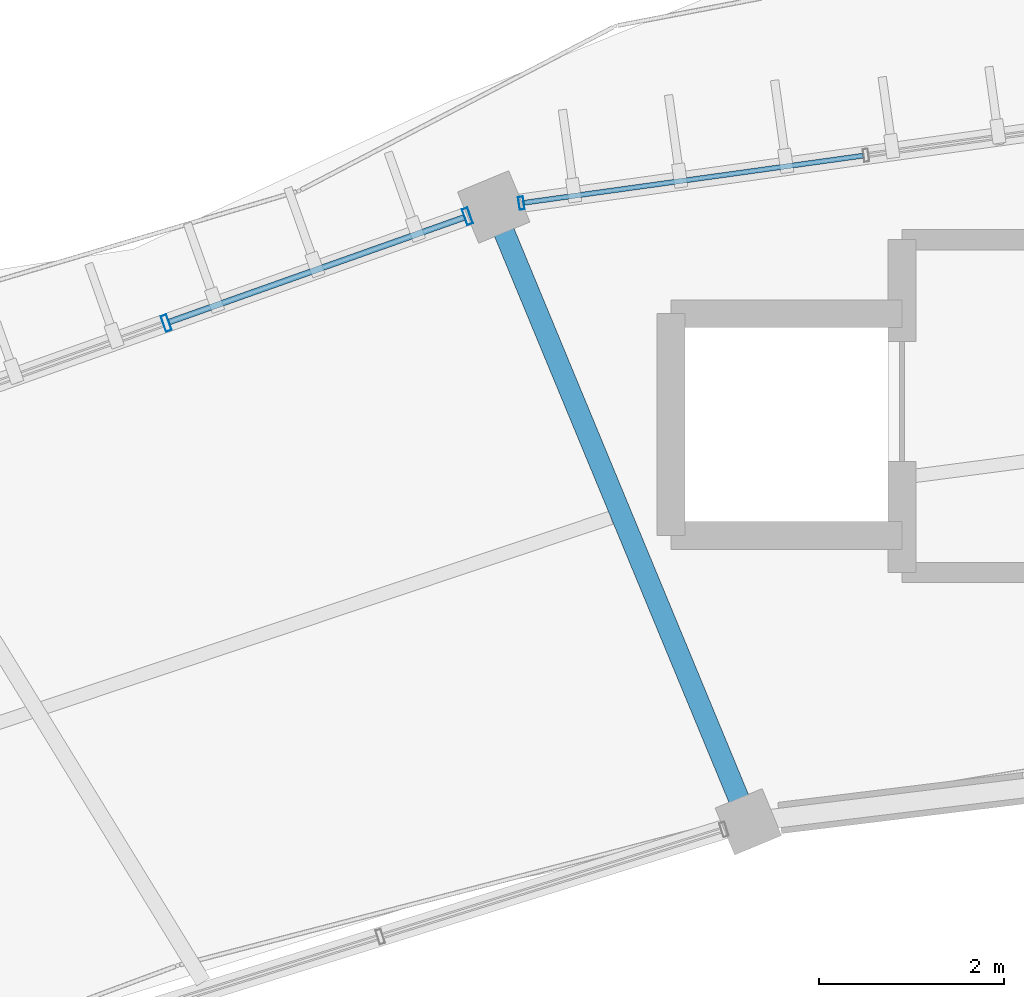
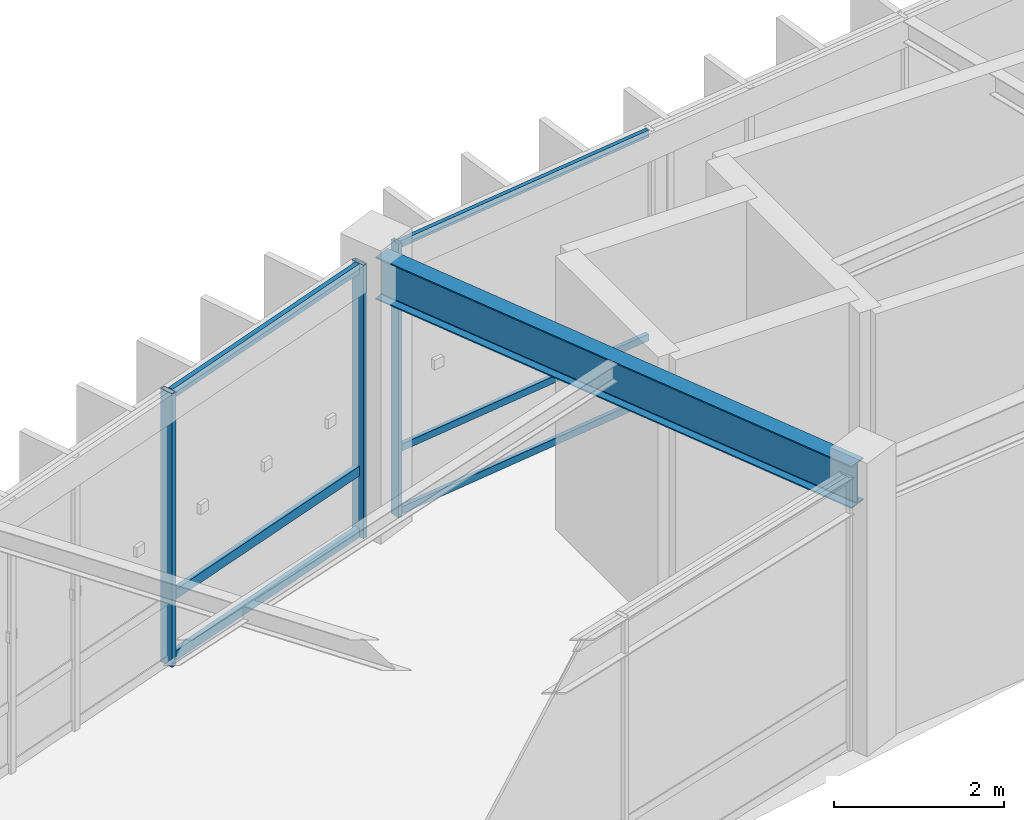
# One storey, part 41 of 83: 9 members, 1 beam, 2 elements without a shape of their own.
"""IFC4 building model written with IfcOpenShell, lengths in metres."""

from ifc_helpers import new_model, si_unit, direction, frame, origin, origin_2d, place, context, subcontext, project, spatial, hollow_rectangle, i_section, extrude, material, material_profile, profile_set, type_object, element, aggregate, save


model = new_model("IFC4")

# Units and contexts
model_context = context("Model", 3, precision=1e-05, world=origin(), true_north=direction((0.0, 1.0)))
body_context = subcontext(model_context, "Body", "Model", "MODEL_VIEW")
ifc_project = project(units=[si_unit("LENGTHUNIT", "METRE"), si_unit("AREAUNIT", "SQUARE_METRE"), si_unit("VOLUMEUNIT", "CUBIC_METRE"), si_unit("PLANEANGLEUNIT", "RADIAN"), si_unit("MASSUNIT", "GRAM", prefix="KILO"), si_unit("THERMODYNAMICTEMPERATUREUNIT", "KELVIN"), si_unit("POWERUNIT", "WATT")], contexts=[model_context])

# Site, building, storey
site_placement = place(None, origin())
site = spatial("IfcSite", under=ifc_project, at=site_placement, CompositionType="ELEMENT")
building_placement = place(site_placement, origin())
building = spatial("IfcBuilding", under=site, at=building_placement, Name="Darbajah Civic Hall", CompositionType="ELEMENT")
storey_placement = place(building_placement, frame((0.0, 0.0, 18.0)))
storey = spatial("IfcBuildingStorey", under=building, at=storey_placement, Name="L04", CompositionType="ELEMENT", Elevation=18.0)

# Curtain wall, member
ifc_material_1 = material(Name="Anodised Bronze Aluminium and Low-E Glazing", Category="aluminium")
curtain_wall_type_1 = type_object("IfcCurtainWallType", Name="Unitised Curtain Wall CW-66 15100x3900", PredefinedType="USERDEFINED", material=ifc_material_1)
curtain_wall_1_placement = place(storey_placement, origin())
curtain_wall_1 = element("IfcCurtainWall", 1, at=curtain_wall_1_placement, inside=storey, type_object=curtain_wall_type_1, Name="L04 unitised curtain wall CW-V1O-L04-05", ObjectType="UNITISED CURTAIN WALL", PredefinedType="USERDEFINED")
ifc_material_2 = material(Name="Anodised Bronze Aluminium", Category="aluminium")
ifc_material_profile_1 = material_profile(ifc_material_2, hollow_rectangle(XDim=0.054931640625, YDim=0.139892578125, WallThickness=0.003173828125, at=origin_2d()), Name="ALU MULLION 55x140")
ifc_profile_set_1 = profile_set([ifc_material_profile_1], Name="Anodised Bronze Aluminium")
member_type_1 = type_object("IfcMemberType", Name="ALU MULLION 55x140", PredefinedType="MULLION", material=ifc_profile_set_1)
member_1_placement = place(storey_placement, frame((69.882080078125, 117.095947265625, 0.0), z_axis=(0.0, 0.0, 1.0), x_axis=(-0.990485459553, -0.137617420457, 0.0)))
member_1 = element("IfcMember", 2, at=member_1_placement, type_object=member_type_1, Name="CW-V1O-L04-05 mullion 5", PredefinedType="MULLION", context=body_context, shape_type="SweptSolid", body=[
    extrude(hollow_rectangle(XDim=0.054931640625, YDim=0.139892578125, WallThickness=0.003173828125, at=origin_2d()), origin(), (0.0, 0.0, 1.0), 3.919921875),
])

# Curtain wall, members
curtain_wall_type_2 = type_object("IfcCurtainWallType", Name="Unitised Curtain Wall CW-57 13800x3900", PredefinedType="USERDEFINED", material=ifc_material_1)
curtain_wall_2_placement = place(storey_placement, origin())
curtain_wall_2 = element("IfcCurtainWall", 3, at=curtain_wall_2_placement, inside=storey, type_object=curtain_wall_type_2, Name="L04 unitised curtain wall CW-V1O-L04-06", ObjectType="UNITISED CURTAIN WALL", PredefinedType="USERDEFINED")
ifc_material_profile_2 = material_profile(ifc_material_2, hollow_rectangle(XDim=0.06494140625, YDim=0.179931640625, WallThickness=0.00390625, at=origin_2d()), Name="ALU MULLION 65x180")
ifc_profile_set_2 = profile_set([ifc_material_profile_2], Name="Anodised Bronze Aluminium")
member_type_2 = type_object("IfcMemberType", Name="ALU MULLION 65x180", PredefinedType="MULLION", material=ifc_profile_set_2)
member_2_placement = place(storey_placement, frame((69.298583984375, 116.95361328125, 0.0), z_axis=(0.0, 0.0, 1.0), x_axis=(-0.94252491309, -0.334135882844, 0.0)))
member_2 = element("IfcMember", 4, at=member_2_placement, type_object=member_type_2, Name="CW-V1O-L04-06 mullion 1", PredefinedType="MULLION", context=body_context, shape_type="SweptSolid", body=[
    extrude(hollow_rectangle(XDim=0.06494140625, YDim=0.179931640625, WallThickness=0.00390625, at=origin_2d()), origin(), (0.0, 0.0, 1.0), 3.919921875),
])
member_3_placement = place(storey_placement, frame((66.03955078125, 115.79833984375, 0.0), z_axis=(0.0, 0.0, 1.0), x_axis=(-0.94252491309, -0.334135882844, 0.0)))
member_3 = element("IfcMember", 5, at=member_3_placement, type_object=member_type_2, Name="CW-V1O-L04-06 mullion 2", PredefinedType="MULLION", context=body_context, shape_type="SweptSolid", body=[
    extrude(hollow_rectangle(XDim=0.06494140625, YDim=0.179931640625, WallThickness=0.00390625, at=origin_2d()), origin(), (0.0, 0.0, 1.0), 3.919921875),
])

# Member
ifc_material_profile_3 = material_profile(ifc_material_2, hollow_rectangle(XDim=0.054931640625, YDim=0.10009765625, WallThickness=0.0029296875, at=origin_2d()), Name="ALU TRANSOM 55x100")
ifc_profile_set_3 = profile_set([ifc_material_profile_3], Name="Anodised Bronze Aluminium")
member_type_3 = type_object("IfcMemberType", Name="ALU TRANSOM 55x100", PredefinedType="USERDEFINED", material=ifc_profile_set_3)
member_4_placement = place(storey_placement, frame((73.579345703125, 117.609375, 0.050048828125), z_axis=(-0.990492273178, -0.137568371275, 0.0), x_axis=(0.137568371275, -0.990492273178, 0.0)))
member_4 = element("IfcMember", 6, at=member_4_placement, type_object=member_type_3, Name="CW-V1O-L04-05 transom 4.1", ObjectType="TRANSOM", PredefinedType="USERDEFINED", context=body_context, shape_type="SweptSolid", body=[
    extrude(hollow_rectangle(XDim=0.054931640625, YDim=0.10009765625, WallThickness=0.0029296875, at=origin_2d()), origin(), (0.0, 0.0, 1.0), 3.7001953125),
])

member_5_placement = place(storey_placement, frame((73.579345703125, 117.609375, 0.949951171875), z_axis=(-0.990492273178, -0.137568371275, 0.0), x_axis=(0.137568371275, -0.990492273178, 0.0)))
member_5 = element("IfcMember", 7, at=member_5_placement, type_object=member_type_3, Name="CW-V1O-L04-05 transom 4.2", ObjectType="TRANSOM", PredefinedType="USERDEFINED", context=body_context, shape_type="SweptSolid", body=[
    extrude(hollow_rectangle(XDim=0.054931640625, YDim=0.10009765625, WallThickness=0.0029296875, at=origin_2d()), origin(), (0.0, 0.0, 1.0), 3.7001953125),
])

member_6_placement = place(storey_placement, frame((73.579345703125, 117.609375, 3.8701171875), z_axis=(-0.990492273178, -0.137568371275, 0.0), x_axis=(0.137568371275, -0.990492273178, 0.0)))
member_6 = element("IfcMember", 8, at=member_6_placement, type_object=member_type_3, Name="CW-V1O-L04-05 transom 4.3", ObjectType="TRANSOM", PredefinedType="USERDEFINED", context=body_context, shape_type="SweptSolid", body=[
    extrude(hollow_rectangle(XDim=0.054931640625, YDim=0.10009765625, WallThickness=0.0029296875, at=origin_2d()), origin(), (0.0, 0.0, 1.0), 3.7001953125),
])

aggregate(curtain_wall_1, [member_1, member_4, member_5, member_6])

ifc_material_profile_4 = material_profile(ifc_material_2, hollow_rectangle(XDim=0.06494140625, YDim=0.139892578125, WallThickness=0.00341796875, at=origin_2d()), Name="ALU TRANSOM 65x140")
ifc_profile_set_4 = profile_set([ifc_material_profile_4], Name="Anodised Bronze Aluminium")
member_type_4 = type_object("IfcMemberType", Name="ALU TRANSOM 65x140", PredefinedType="USERDEFINED", material=ifc_profile_set_4)
member_7_placement = place(storey_placement, frame((69.26318359375, 116.94091796875, 0.070068359375), z_axis=(-0.942537758494, -0.334099646533, 0.0), x_axis=(0.334099646533, -0.942537758494, 0.0)))
member_7 = element("IfcMember", 9, at=member_7_placement, type_object=member_type_4, Name="CW-V1O-L04-06 transom 1.1", ObjectType="TRANSOM", PredefinedType="USERDEFINED", context=body_context, shape_type="SweptSolid", body=[
    extrude(hollow_rectangle(XDim=0.06494140625, YDim=0.139892578125, WallThickness=0.00341796875, at=origin_2d()), origin(), (0.0, 0.0, 1.0), 3.382568359375),
])

member_8_placement = place(storey_placement, frame((69.26318359375, 116.94091796875, 0.949951171875), z_axis=(-0.942537758494, -0.334099646533, 0.0), x_axis=(0.334099646533, -0.942537758494, 0.0)))
member_8 = element("IfcMember", 10, at=member_8_placement, type_object=member_type_4, Name="CW-V1O-L04-06 transom 1.2", ObjectType="TRANSOM", PredefinedType="USERDEFINED", context=body_context, shape_type="SweptSolid", body=[
    extrude(hollow_rectangle(XDim=0.06494140625, YDim=0.139892578125, WallThickness=0.00341796875, at=origin_2d()), origin(), (0.0, 0.0, 1.0), 3.382568359375),
])

member_9_placement = place(storey_placement, frame((69.26318359375, 116.94091796875, 3.85009765625), z_axis=(-0.942537758494, -0.334099646533, 0.0), x_axis=(0.334099646533, -0.942537758494, 0.0)))
member_9 = element("IfcMember", 11, at=member_9_placement, type_object=member_type_4, Name="CW-V1O-L04-06 transom 1.3", ObjectType="TRANSOM", PredefinedType="USERDEFINED", context=body_context, shape_type="SweptSolid", body=[
    extrude(hollow_rectangle(XDim=0.06494140625, YDim=0.139892578125, WallThickness=0.00341796875, at=origin_2d()), origin(), (0.0, 0.0, 1.0), 3.382568359375),
])

aggregate(curtain_wall_2, [member_2, member_3, member_7, member_8, member_9])

# Beam
ifc_material_3 = material(Name="Steel S355JR", Category="steel")
ifc_material_profile_5 = material_profile(ifc_material_3, i_section(OverallWidth=0.228271484375, OverallDepth=0.607666015625, WebThickness=0.010986328125, FlangeThickness=0.017333984375, FilletRadius=0.0126953125, at=origin_2d()), Name="UB 610x229x113")
ifc_profile_set_5 = profile_set([ifc_material_profile_5], Name="Steel S355JR")
beam_type = type_object("IfcBeamType", Name="UB 610x229x113", PredefinedType="BEAM", material=ifc_profile_set_5)
beam_placement = place(storey_placement, frame((72.307861328125, 110.476318359375, 3.6162109375), z_axis=(-0.382681552297, 0.923880311259, 0.0), x_axis=(-0.923880311259, -0.382681552297, 0.0)))
element("IfcBeam", 12, at=beam_placement, inside=storey, type_object=beam_type, Name="L04 beam SB-610", PredefinedType="BEAM", context=body_context, shape_type="SweptSolid", body=[
    extrude(i_section(OverallWidth=0.228271484375, OverallDepth=0.607666015625, WebThickness=0.010986328125, FlangeThickness=0.017333984375, FilletRadius=0.0126953125, at=origin_2d()), origin(), (0.0, 0.0, 1.0), 7.0400390625),
])

save(model, "model.ifc")
